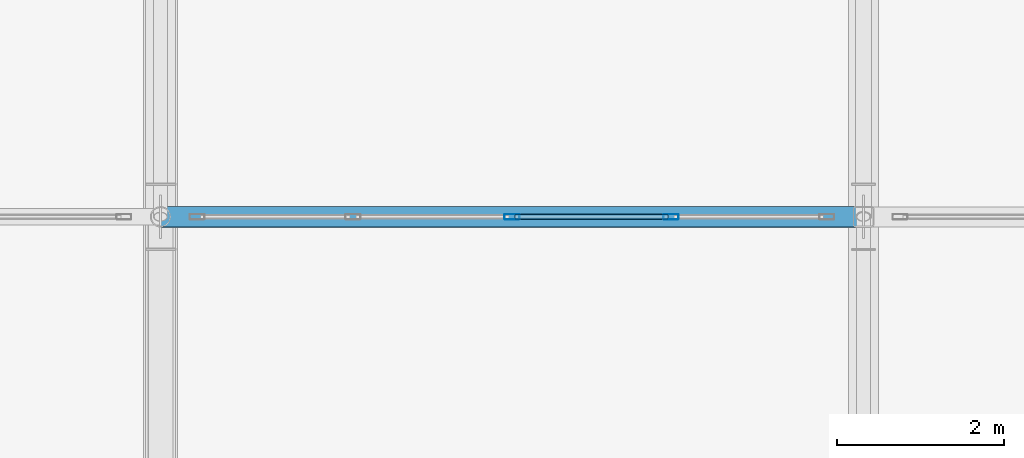
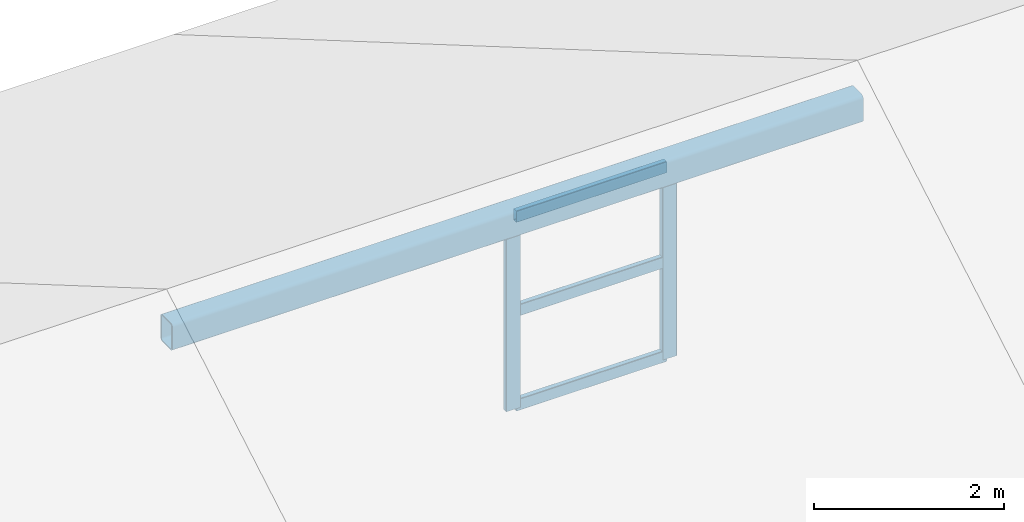
# One storey, part 17 of 54: 6 members, 1 element without a shape of its own.
"""IFC4 building model written with IfcOpenShell, lengths in metres."""

from ifc_helpers import new_model, si_unit, direction, frame, origin, origin_2d, place, context, subcontext, project, spatial, hollow_rectangle, extrude, material, layer, layer_set, material_profile, profile_set, type_object, element, aggregate, save


model = new_model("IFC4")

# Units and contexts
model_context = context("Model", 3, precision=1e-05, world=origin(), true_north=direction((0.0, 1.0)))
body_context = subcontext(model_context, "Body", "Model", "MODEL_VIEW")
ifc_project = project(units=[si_unit("LENGTHUNIT", "METRE"), si_unit("AREAUNIT", "SQUARE_METRE"), si_unit("VOLUMEUNIT", "CUBIC_METRE"), si_unit("PLANEANGLEUNIT", "RADIAN"), si_unit("MASSUNIT", "GRAM", prefix="KILO")], contexts=[model_context])

# Site, building, storey
site_placement = place(None, origin())
site = spatial("IfcSite", under=ifc_project, at=site_placement, CompositionType="ELEMENT")
building_placement = place(site_placement, origin())
building = spatial("IfcBuilding", under=site, at=building_placement, Name="Zulmaris Art Gallery", CompositionType="ELEMENT")
storey_placement = place(building_placement, frame((0.0, 0.0, 26.39990234375)))
storey = spatial("IfcBuildingStorey", under=building, at=storey_placement, Name="L05", CompositionType="ELEMENT", Elevation=26.39990234375)

# Curtain wall, members
ifc_material_1 = material(Name="Pitched Roof North-Light Clerestory Wall", Category="aluminium")
ifc_layer = layer(ifc_material_1, 0.179931640625)
ifc_layer_set = layer_set([ifc_layer], Name="Pitched Roof North-Light Clerestory Wall")
curtain_wall_type = type_object("IfcCurtainWallType", Name="CW-CW05", PredefinedType="NOTDEFINED", material=ifc_layer_set)
curtain_wall_placement = place(storey_placement, origin())
curtain_wall = element("IfcCurtainWall", 1, at=curtain_wall_placement, inside=storey, type_object=curtain_wall_type, Name="L05 curtain wall 50", PredefinedType="NOTDEFINED")
ifc_material_2 = material(Name="Anodised Bronze Aluminium", Category="aluminium")
ifc_material_profile_1 = material_profile(ifc_material_2, hollow_rectangle(XDim=0.06494140625, YDim=0.179931640625, WallThickness=0.00390625, InnerFilletRadius=0.006103515625, OuterFilletRadius=0.010009765625, at=origin_2d()), Name="ALU 65x180x4")
ifc_profile_set_1 = profile_set([ifc_material_profile_1], Name="Anodised Bronze Aluminium")
member_type_1 = type_object("IfcMemberType", Name="CWMUL-01", PredefinedType="MULLION", material=ifc_profile_set_1)
member_1_placement = place(storey_placement, frame((70.199951171875, 36.0, 5.400146484375), z_axis=(0.0, 0.0, 1.0), x_axis=(0.0, 1.0, 0.0)))
member_1 = element("IfcMember", 2, at=member_1_placement, type_object=member_type_1, Name="CW05 mullion 3", PredefinedType="MULLION", context=body_context, shape_type="SweptSolid", body=[
    extrude(hollow_rectangle(XDim=0.06494140625, YDim=0.179931640625, WallThickness=0.00390625, InnerFilletRadius=0.006103515625, OuterFilletRadius=0.010009765625, at=origin_2d()), origin(), (0.0, 0.0, 1.0), 2.5),
])
member_2_placement = place(storey_placement, frame((72.10009765625, 36.0, 5.400146484375), z_axis=(0.0, 0.0, 1.0), x_axis=(0.0, 1.0, 0.0)))
member_2 = element("IfcMember", 3, at=member_2_placement, type_object=member_type_1, Name="CW05 mullion 4", PredefinedType="MULLION", context=body_context, shape_type="SweptSolid", body=[
    extrude(hollow_rectangle(XDim=0.06494140625, YDim=0.179931640625, WallThickness=0.00390625, InnerFilletRadius=0.006103515625, OuterFilletRadius=0.010009765625, at=origin_2d()), origin(), (0.0, 0.0, 1.0), 2.5),
])
ifc_material_profile_2 = material_profile(ifc_material_2, hollow_rectangle(XDim=0.06494140625, YDim=0.14990234375, WallThickness=0.00390625, InnerFilletRadius=0.006103515625, OuterFilletRadius=0.010009765625, at=origin_2d()), Name="ALU 65x150x4")
ifc_profile_set_2 = profile_set([ifc_material_profile_2], Name="Anodised Bronze Aluminium")
member_type_2 = type_object("IfcMemberType", Name="CWTRN-01", PredefinedType="USERDEFINED", material=ifc_profile_set_2)
member_3_placement = place(storey_placement, frame((70.237548828125, 36.0, 5.4375), z_axis=(1.0, 0.0, 0.0), x_axis=(0.0, 1.0, 0.0)))
member_3 = element("IfcMember", 4, at=member_3_placement, type_object=member_type_2, Name="CW05 transom 3.1", ObjectType="TRANSOM", PredefinedType="USERDEFINED", context=body_context, shape_type="SweptSolid", body=[
    extrude(hollow_rectangle(XDim=0.06494140625, YDim=0.14990234375, WallThickness=0.00390625, InnerFilletRadius=0.006103515625, OuterFilletRadius=0.010009765625, at=origin_2d()), origin(), (0.0, 0.0, 1.0), 1.824951171875),
])
member_4_placement = place(storey_placement, frame((70.237548828125, 36.0, 6.650146484375), z_axis=(1.0, 0.0, 0.0), x_axis=(0.0, 1.0, 0.0)))
member_4 = element("IfcMember", 5, at=member_4_placement, type_object=member_type_2, Name="CW05 transom 3.2", ObjectType="TRANSOM", PredefinedType="USERDEFINED", context=body_context, shape_type="SweptSolid", body=[
    extrude(hollow_rectangle(XDim=0.06494140625, YDim=0.14990234375, WallThickness=0.00390625, InnerFilletRadius=0.006103515625, OuterFilletRadius=0.010009765625, at=origin_2d()), origin(), (0.0, 0.0, 1.0), 1.824951171875),
])
member_5_placement = place(storey_placement, frame((70.237548828125, 36.0, 7.862548828125), z_axis=(1.0, 0.0, 0.0), x_axis=(0.0, 1.0, 0.0)))
member_5 = element("IfcMember", 6, at=member_5_placement, type_object=member_type_2, Name="CW05 transom 3.3", ObjectType="TRANSOM", PredefinedType="USERDEFINED", context=body_context, shape_type="SweptSolid", body=[
    extrude(hollow_rectangle(XDim=0.06494140625, YDim=0.14990234375, WallThickness=0.00390625, InnerFilletRadius=0.006103515625, OuterFilletRadius=0.010009765625, at=origin_2d()), origin(), (0.0, 0.0, 1.0), 1.824951171875),
])
aggregate(curtain_wall, [member_1, member_2, member_3, member_4, member_5])

# Member
ifc_material_3 = material(Name="Steel S355J2H", Category="steel")
ifc_material_profile_3 = material_profile(ifc_material_3, hollow_rectangle(XDim=0.25, YDim=0.35009765625, WallThickness=0.01611328125, InnerFilletRadius=0.02392578125, OuterFilletRadius=0.0400390625, at=origin_2d()), Name="RHS 350x250x16")
ifc_profile_set_3 = profile_set([ifc_material_profile_3], Name="Steel S355J2H")
member_type_3 = type_object("IfcMemberType", Name="MEM-PR04", PredefinedType="PURLIN", material=ifc_profile_set_3)
member_6_placement = place(storey_placement, frame((66.0, 36.0, 7.84521484375), z_axis=(1.0, 0.0, 0.0), x_axis=(0.0, 1.0, 0.0)))
element("IfcMember", 7, at=member_6_placement, inside=storey, type_object=member_type_3, Name="Skylight roof purlin bay 8 line 3", PredefinedType="PURLIN", context=body_context, shape_type="SweptSolid", body=[
    extrude(hollow_rectangle(XDim=0.25, YDim=0.35009765625, WallThickness=0.01611328125, InnerFilletRadius=0.02392578125, OuterFilletRadius=0.0400390625, at=origin_2d()), origin(), (0.0, 0.0, 1.0), 8.39990234375),
])

save(model, "model.ifc")
